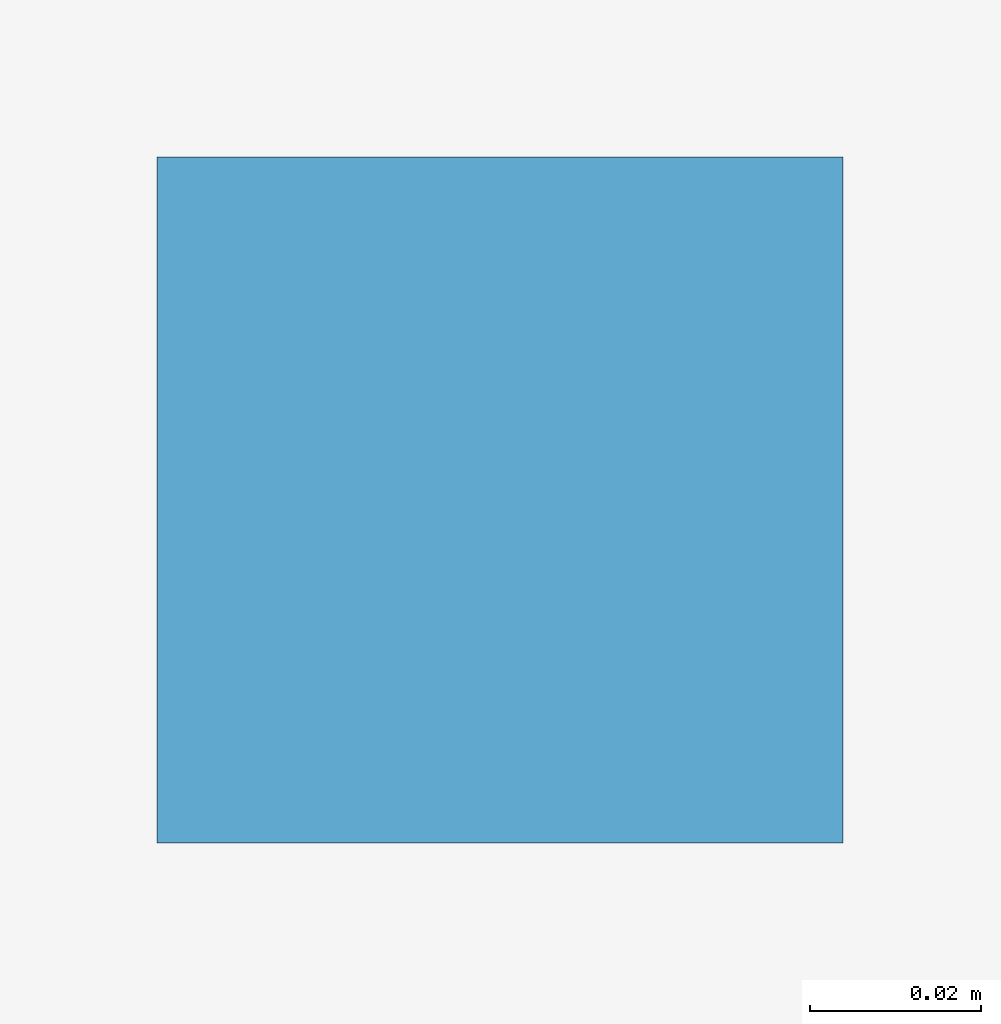
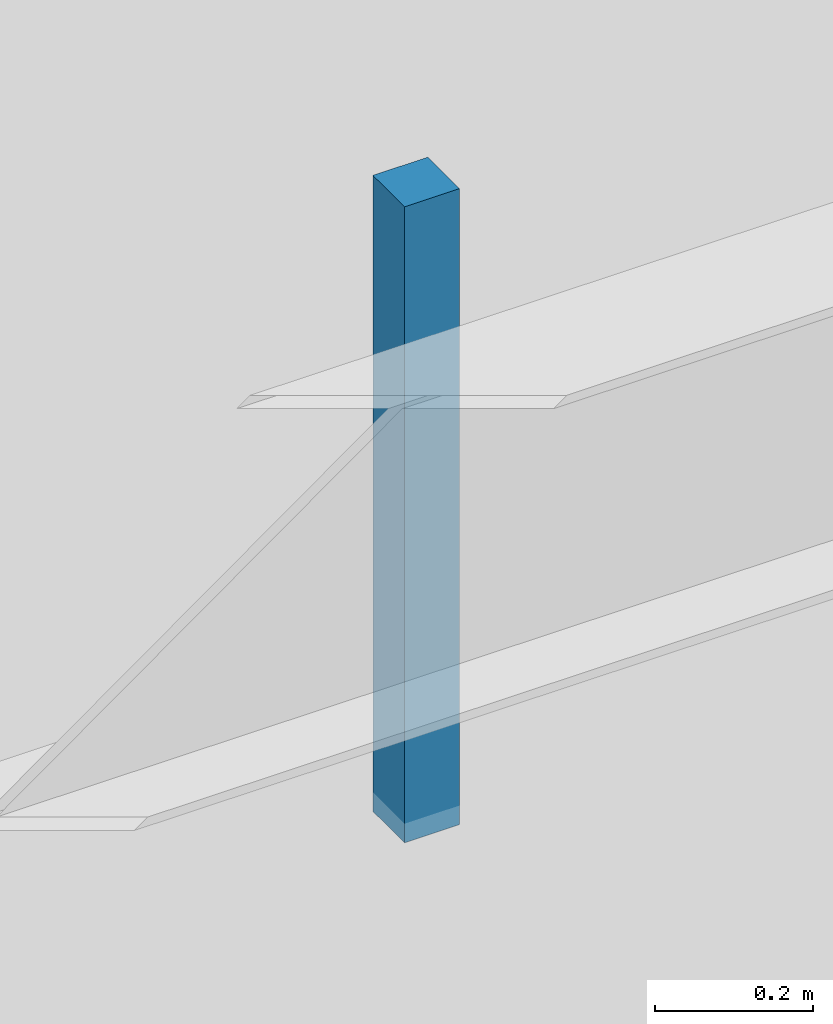
# One storey, part 12 of 17: 1 discrete accessory.
"""IFC4 building model written with IfcOpenShell, lengths in metres."""

from ifc_helpers import new_model, si_unit, direction, frame, origin, origin_2d, place, context, subcontext, project, spatial, rectangle, extrude, source, transform, mapped, material, type_object, element, save


model = new_model("IFC4")

# Units and contexts
model_context = context("Model", 3, precision=1e-05, world=origin(), true_north=direction((0.0, 1.0)))
body_context = subcontext(model_context, "Body", "Model", "MODEL_VIEW")
ifc_project = project(units=[si_unit("LENGTHUNIT", "METRE"), si_unit("AREAUNIT", "SQUARE_METRE"), si_unit("VOLUMEUNIT", "CUBIC_METRE"), si_unit("PLANEANGLEUNIT", "RADIAN"), si_unit("MASSUNIT", "GRAM", prefix="KILO")], contexts=[model_context])

# Site, building, storey
site_placement = place(None, origin())
site = spatial("IfcSite", under=ifc_project, at=site_placement, CompositionType="ELEMENT")
building_placement = place(site_placement, origin())
building = spatial("IfcBuilding", under=site, at=building_placement, Name="Giltprow Tower", CompositionType="ELEMENT")
storey_placement = place(building_placement, frame((0.0, 0.0, 41.0)))
storey = spatial("IfcBuildingStorey", under=building, at=storey_placement, Name="L10", CompositionType="ELEMENT", Elevation=41.0)

# Discrete accessory
ifc_material = material(Name="Structural steel Q355B", Category="steel")
discrete_accessory_type = type_object("IfcDiscreteAccessoryType", Name="ACC-CLG-HANGER", PredefinedType="BRACKET", material=ifc_material)
shared_shape = source(origin(), body_context, "Body", "SweptSolid", [
    extrude(rectangle(XDim=0.080078125, YDim=0.080078125, at=origin_2d()), origin(), (0.0, 0.0, 1.0), 0.97998046875),
])
discrete_accessory_placement = place(storey_placement, frame((25.39990234375, 18.614013671875, 2.719970703125), z_axis=(0.0, 0.0, 1.0), x_axis=(1.0, 0.0, 0.0)))
element("IfcDiscreteAccessory", 1, at=discrete_accessory_placement, inside=storey, type_object=discrete_accessory_type, Name="L10 Office Acoustic Ceiling Suspension Hanger", PredefinedType="BRACKET", context=body_context, shape_type="MappedRepresentation", body=[
    mapped(shared_shape, transform((0.0, 0.0, 0.0), x_axis=(1.0, 0.0, 0.0), y_axis=(0.0, 1.0, 0.0), z_axis=(0.0, 0.0, 1.0), scale=1.0)),
])

save(model, "model.ifc")
